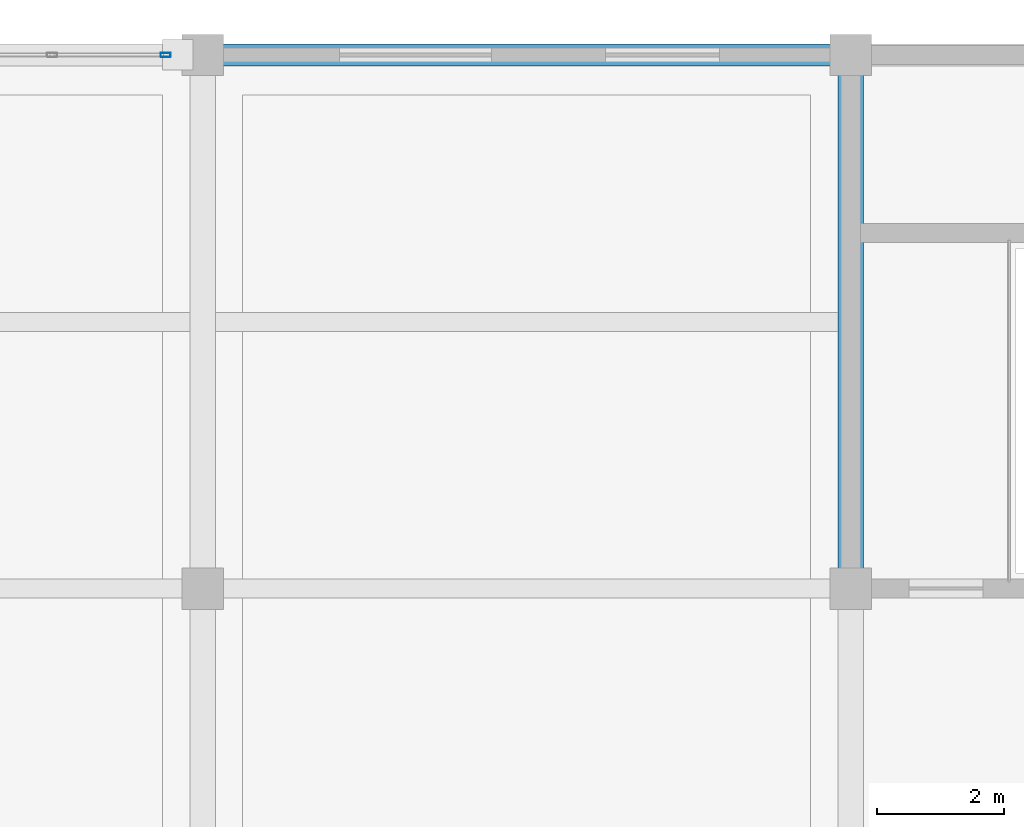
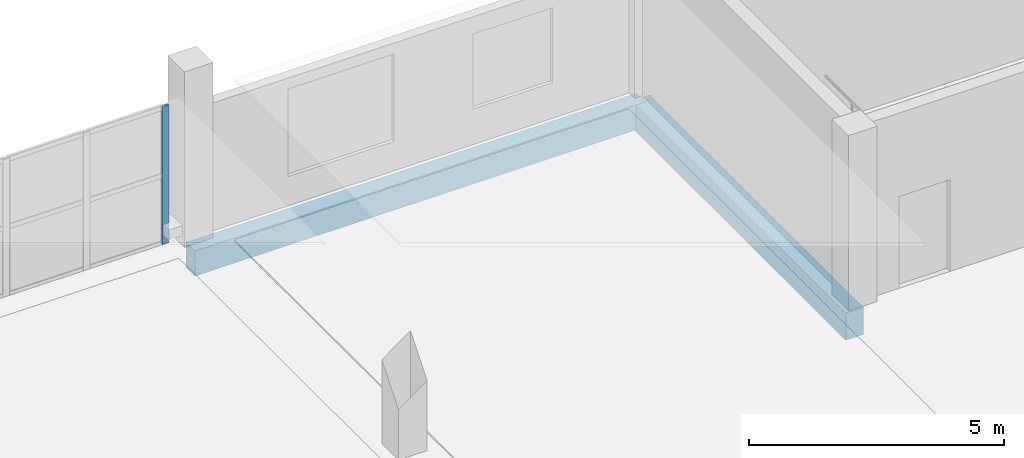
# One storey, part 104 of 135: 2 beams, 1 member, 1 element without a shape of its own.
"""IFC4 building model written with IfcOpenShell, lengths in metres."""

from ifc_helpers import new_model, si_unit, direction, frame, origin, origin_2d, place, context, subcontext, project, spatial, rectangle, hollow_rectangle, extrude, material, material_profile, profile_set, type_object, element, aggregate, save


model = new_model("IFC4")

# Units and contexts
model_context = context("Model", 3, precision=1e-05, world=origin(), true_north=direction((0.0, 1.0)))
body_context = subcontext(model_context, "Body", "Model", "MODEL_VIEW")
ifc_project = project(units=[si_unit("LENGTHUNIT", "METRE"), si_unit("AREAUNIT", "SQUARE_METRE"), si_unit("VOLUMEUNIT", "CUBIC_METRE"), si_unit("PLANEANGLEUNIT", "RADIAN"), si_unit("MASSUNIT", "GRAM", prefix="KILO")], contexts=[model_context])

# Site, building, storey
site_placement = place(None, origin())
site = spatial("IfcSite", under=ifc_project, at=site_placement, CompositionType="ELEMENT")
building_placement = place(site_placement, origin())
building = spatial("IfcBuilding", under=site, at=building_placement, Name="Brelvane Convention Centre", CompositionType="ELEMENT")
storey_placement = place(building_placement, frame((0.0, 0.0, 15.0)))
storey = spatial("IfcBuildingStorey", under=building, at=storey_placement, Name="L03", CompositionType="ELEMENT", Elevation=15.0)

# Curtain wall, member
ifc_material_1 = material(Name="Anodised Aluminium Alloy 6063-T6", Category="aluminium")
curtain_wall_type = type_object("IfcCurtainWallType", Name="Curtain Wall CW-BOUL", PredefinedType="USERDEFINED", material=ifc_material_1)
curtain_wall_placement = place(storey_placement, origin())
curtain_wall = element("IfcCurtainWall", 1, at=curtain_wall_placement, inside=storey, type_object=curtain_wall_type, Name="Curtain Wall CW-BOUL L03-V4N-08", ObjectType="UNITISED", PredefinedType="USERDEFINED")
ifc_material_2 = material(Name="Anodised Aluminium Alloy 6063-T6", Category="aluminium")
ifc_material_profile_1 = material_profile(ifc_material_2, hollow_rectangle(XDim=0.06494140625, YDim=0.159912109375, WallThickness=0.00390625, InnerFilletRadius=0.00390625, OuterFilletRadius=0.008056640625, at=origin_2d()), Name="ALU-M 160x65x4.0")
ifc_profile_set_1 = profile_set([ifc_material_profile_1], Name="Anodised Aluminium Alloy 6063-T6")
member_type = type_object("IfcMemberType", Name="Curtain Mullion CW-M3", PredefinedType="MULLION", material=ifc_profile_set_1)
member_placement = place(storey_placement, frame((81.017578125, 144.0, 0.0), z_axis=(0.0, 0.0, 1.0), x_axis=(0.0, 1.0, 0.0)))
member = element("IfcMember", 2, at=member_placement, type_object=member_type, Name="CW-BOUL mullion 6", PredefinedType="MULLION", context=body_context, shape_type="SweptSolid", body=[
    extrude(hollow_rectangle(XDim=0.06494140625, YDim=0.159912109375, WallThickness=0.00390625, InnerFilletRadius=0.00390625, OuterFilletRadius=0.008056640625, at=origin_2d()), origin(), (0.0, 0.0, 1.0), 3.300048828125),
])
aggregate(curtain_wall, [member])

# Beams
ifc_material_3 = material(Name="Concrete M40", Category="concrete")
ifc_material_profile_2 = material_profile(ifc_material_3, rectangle(XDim=0.39990234375, YDim=0.64990234375, at=origin_2d()), Name="RC 400x650")
ifc_profile_set_2 = profile_set([ifc_material_profile_2], Name="Concrete M40")
beam_type_1 = type_object("IfcBeamType", Name="RC Beam B-RC7 (RC 400x650)", PredefinedType="BEAM", material=ifc_profile_set_2)
beam_1_placement = place(storey_placement, frame((91.800048828125, 135.60009765625, -0.6201171875), z_axis=(0.0, 1.0, 0.0), x_axis=(-1.0, 0.0, 0.0)))
element("IfcBeam", 3, at=beam_1_placement, inside=storey, type_object=beam_type_1, Name="L03 Girder 10/P-Q", PredefinedType="BEAM", context=body_context, shape_type="SweptSolid", body=[
    extrude(rectangle(XDim=0.39990234375, YDim=0.64990234375, at=origin_2d()), origin(), (0.0, 0.0, 1.0), 8.39990234375),
])
ifc_material_4 = material(Name="Concrete M40", Category="concrete")
ifc_material_profile_3 = material_profile(ifc_material_4, rectangle(XDim=0.35009765625, YDim=0.60009765625, at=origin_2d()), Name="RC 350x600")
ifc_profile_set_3 = profile_set([ifc_material_profile_3], Name="Concrete M40")
beam_type_2 = type_object("IfcBeamType", Name="RC Spandrel SP-RC2 (RC 350x600)", PredefinedType="SPANDREL", material=ifc_profile_set_3)
beam_2_placement = place(storey_placement, frame((81.60009765625, 144.0, -0.594970703125), z_axis=(1.0, 0.0, 0.0), x_axis=(0.0, 1.0, 0.0)))
element("IfcBeam", 4, at=beam_2_placement, inside=storey, type_object=beam_type_2, Name="L03 Beam 9-10/Q", PredefinedType="SPANDREL", context=body_context, shape_type="SweptSolid", body=[
    extrude(rectangle(XDim=0.35009765625, YDim=0.60009765625, at=origin_2d()), origin(), (0.0, 0.0, 1.0), 10.199951171875),
])

save(model, "model.ifc")
